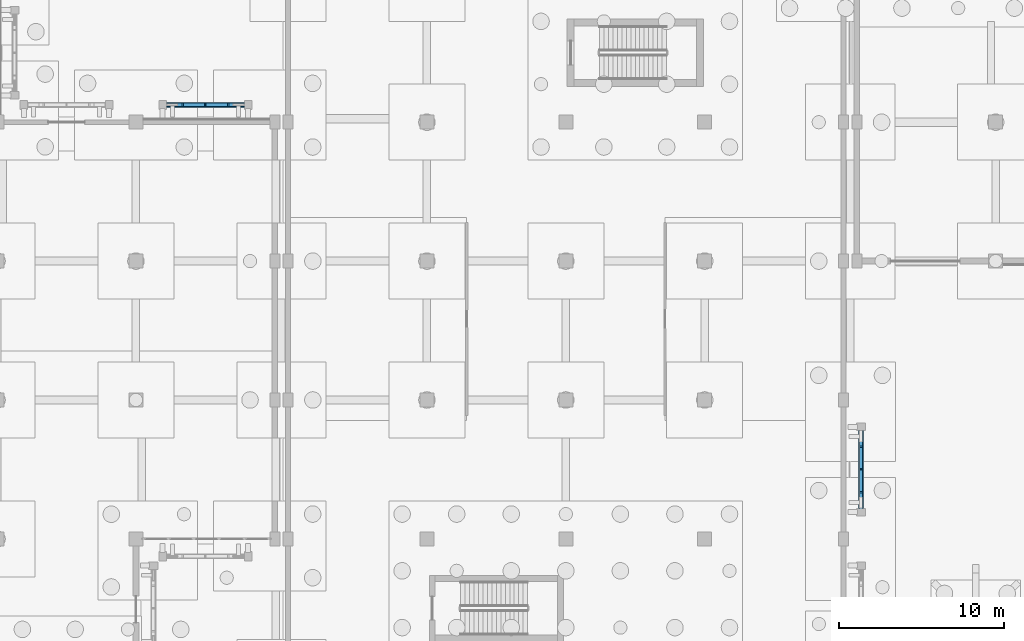
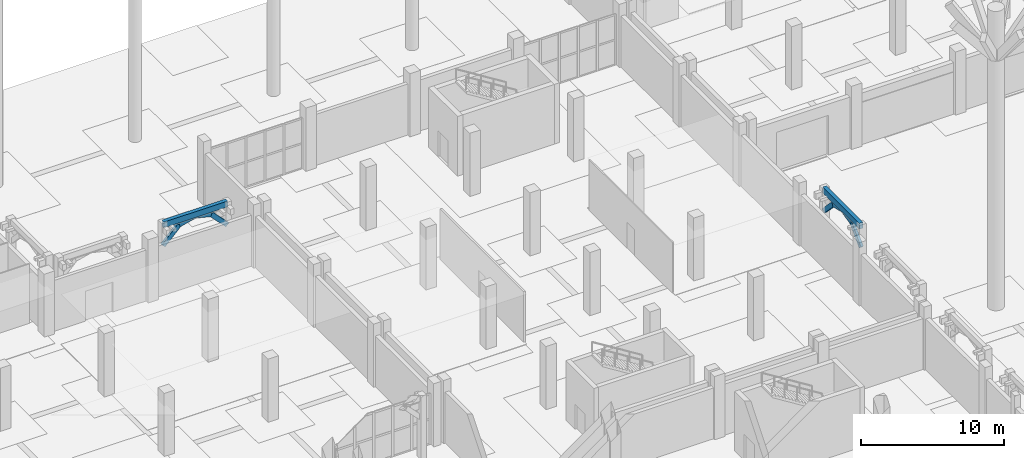
# One storey, part 41 of 98: 8 members, 2 beams.
"""IFC4 building model written with IfcOpenShell, lengths in metres."""

from ifc_helpers import new_model, si_unit, direction, frame, origin, origin_2d, place, context, subcontext, project, spatial, rectangle, extrude, material, material_profile, profile_set, type_object, element, save


model = new_model("IFC4")

# Units and contexts
model_context = context("Model", 3, precision=1e-05, world=origin(), true_north=direction((0.0, 1.0)))
body_context = subcontext(model_context, "Body", "Model", "MODEL_VIEW")
ifc_project = project(units=[si_unit("LENGTHUNIT", "METRE"), si_unit("AREAUNIT", "SQUARE_METRE"), si_unit("VOLUMEUNIT", "CUBIC_METRE"), si_unit("PLANEANGLEUNIT", "RADIAN"), si_unit("MASSUNIT", "GRAM", prefix="KILO")], contexts=[model_context])

# Site, building, storey
site_placement = place(None, origin())
site = spatial("IfcSite", under=ifc_project, at=site_placement, CompositionType="ELEMENT")
building_placement = place(site_placement, origin())
building = spatial("IfcBuilding", under=site, at=building_placement, Name="Xazarin Passage Department Store", CompositionType="ELEMENT")
storey_placement = place(building_placement, origin())
storey = spatial("IfcBuildingStorey", under=building, at=storey_placement, Name="L00", CompositionType="ELEMENT", Elevation=0.0)

# Beams
ifc_material_1 = material(Name="Concrete C35/45", Category="concrete")
ifc_material_profile_1 = material_profile(ifc_material_1, rectangle(XDim=0.300048828125, YDim=0.5, at=origin_2d()), Name="RC 300x500")
ifc_profile_set_1 = profile_set([ifc_material_profile_1], Name="Concrete C35/45")
beam_type = type_object("IfcBeamType", Name="STR-BM-LN300x500", PredefinedType="LINTEL", material=ifc_profile_set_1)
beam_1_placement = place(storey_placement, frame((60.419921875, 85.85009765625, 5.14990234375), z_axis=(1.0, 0.0, 0.0), x_axis=(0.0, 1.0, 0.0)))
element("IfcBeam", 1, at=beam_1_placement, inside=storey, type_object=beam_type, Name="L00 V1 Colonnade Spandrel Beam 007", PredefinedType="LINTEL", context=body_context, shape_type="SweptSolid", body=[
    extrude(rectangle(XDim=0.300048828125, YDim=0.5, at=origin_2d()), origin(), (0.0, 0.0, 1.0), 5.16015625),
])
beam_2_placement = place(storey_placement, frame((102.64990234375, 61.219970703125, 5.14990234375), z_axis=(0.0, 1.0, 0.0), x_axis=(-1.0, 0.0, 0.0)))
element("IfcBeam", 2, at=beam_2_placement, inside=storey, type_object=beam_type, Name="L00 V2N Colonnade Spandrel Beam 025", PredefinedType="LINTEL", context=body_context, shape_type="SweptSolid", body=[
    extrude(rectangle(XDim=0.300048828125, YDim=0.5, at=origin_2d()), origin(), (0.0, 0.0, 1.0), 5.159912109375),
])

# Members
ifc_material_2 = material(Name="Concrete C40/50", Category="concrete")
ifc_material_profile_2 = material_profile(ifc_material_2, rectangle(XDim=0.199951171875, YDim=0.360107421875, at=origin_2d()), Name="RC 200x360")
ifc_profile_set_2 = profile_set([ifc_material_profile_2], Name="Concrete C40/50")
member_type = type_object("IfcMemberType", Name="STR-MEM-ARC360", PredefinedType="CHORD", material=ifc_profile_set_2)
member_1_placement = place(storey_placement, frame((60.419921875, 85.85009765625, 3.330078125), z_axis=(0.693460080602, 0.0, 0.720495049679), x_axis=(0.0, 1.0, 0.0)))
element("IfcMember", 3, at=member_1_placement, inside=storey, type_object=member_type, Name="L00 V1 Pierced Lattice Curved Arch 007.1", PredefinedType="CHORD", context=body_context, shape_type="SweptSolid", body=[
    extrude(rectangle(XDim=0.199951171875, YDim=0.360107421875, at=origin_2d()), origin(), (0.0, 0.0, 1.0), 1.8603515625),
])
for number, where, z_axis, x_axis, name in (
    (4, (61.7099609375, 85.85009765625, 4.67041015625), (0.972393983317, 0.0, 0.233345111818), (0.0, 1.0, 0.0), "L00 V1 Pierced Lattice Curved Arch 007.2"),
    (5, (63.0, 85.85009765625, 4.97998046875), (0.972393983317, 0.0, -0.233345111818), (0.0, 1.0, 0.0), "L00 V1 Pierced Lattice Curved Arch 007.3"),
):
    element("IfcMember", number, at=place(storey_placement, frame(where, z_axis=z_axis, x_axis=x_axis)), inside=storey, type_object=member_type, Name=name, PredefinedType="CHORD", context=body_context, shape_type="SweptSolid", body=[
        extrude(rectangle(XDim=0.199951171875, YDim=0.360107421875, at=origin_2d()), origin(), (0.0, 0.0, 1.0), 1.32666015625),
    ])
for number, where, z_axis, x_axis, name in (
    (6, (64.2900390625, 85.85009765625, 4.67041015625), (0.693460080602, 0.0, -0.720495049679), (0.0, 1.0, 0.0), "L00 V1 Pierced Lattice Curved Arch 007.4"),
    (7, (102.64990234375, 61.219970703125, 3.330078125), (0.0, 0.693460080602, 0.720495049679), (-1.0, 0.0, 0.0), "L00 V2N Pierced Lattice Curved Arch 025.1"),
):
    element("IfcMember", number, at=place(storey_placement, frame(where, z_axis=z_axis, x_axis=x_axis)), inside=storey, type_object=member_type, Name=name, PredefinedType="CHORD", context=body_context, shape_type="SweptSolid", body=[
        extrude(rectangle(XDim=0.199951171875, YDim=0.360107421875, at=origin_2d()), origin(), (0.0, 0.0, 1.0), 1.8603515625),
    ])
for number, where, z_axis, x_axis, name in (
    (8, (102.64990234375, 62.510009765625, 4.67041015625), (0.0, 0.972393983317, 0.233345111818), (-1.0, 0.0, 0.0), "L00 V2N Pierced Lattice Curved Arch 025.2"),
    (9, (102.64990234375, 63.800048828125, 4.97998046875), (0.0, 0.972393983317, -0.233345111818), (-1.0, 0.0, 0.0), "L00 V2N Pierced Lattice Curved Arch 025.3"),
):
    element("IfcMember", number, at=place(storey_placement, frame(where, z_axis=z_axis, x_axis=x_axis)), inside=storey, type_object=member_type, Name=name, PredefinedType="CHORD", context=body_context, shape_type="SweptSolid", body=[
        extrude(rectangle(XDim=0.199951171875, YDim=0.360107421875, at=origin_2d()), origin(), (0.0, 0.0, 1.0), 1.32666015625),
    ])
member_2_placement = place(storey_placement, frame((102.64990234375, 65.090087890625, 4.67041015625), z_axis=(0.0, 0.693391944082, -0.720560623322), x_axis=(-1.0, 0.0, 0.0)))
element("IfcMember", 10, at=member_2_placement, inside=storey, type_object=member_type, Name="L00 V2N Pierced Lattice Curved Arch 025.4", PredefinedType="CHORD", context=body_context, shape_type="SweptSolid", body=[
    extrude(rectangle(XDim=0.199951171875, YDim=0.360107421875, at=origin_2d()), origin(), (0.0, 0.0, 1.0), 1.860107421875),
])

save(model, "model.ifc")
